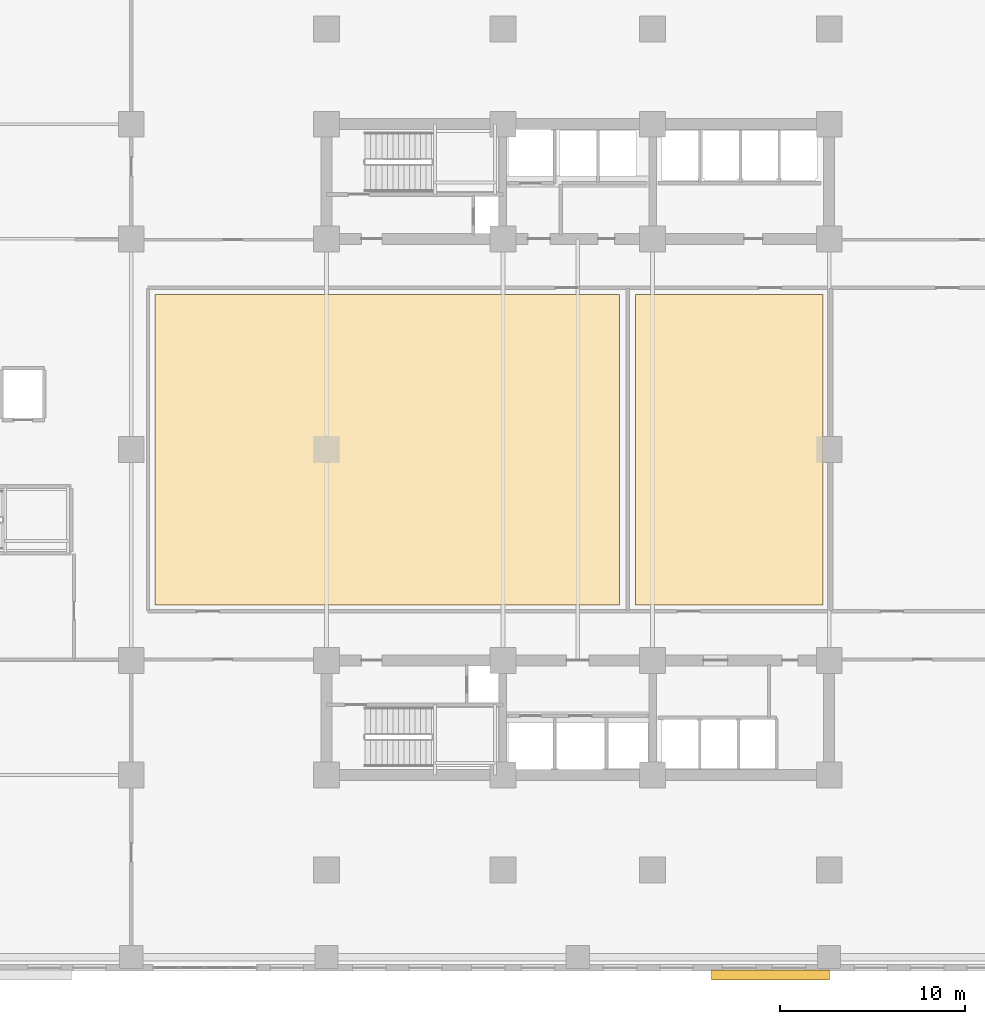
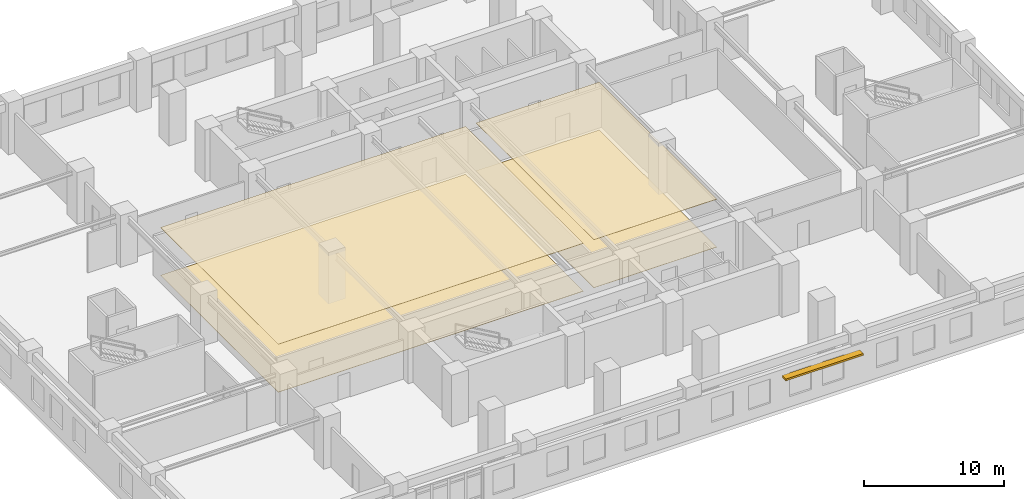
# One storey, part 14 of 16: 4 coverings, 1 shading device.
"""IFC4 building model written with IfcOpenShell, lengths in metres."""

from ifc_helpers import new_model, si_unit, direction, frame, origin, origin_2d, place, context, subcontext, project, spatial, polyline, rectangle, outline, extrude, material, layer, layer_set, type_object, element, save


model = new_model("IFC4")

# Units and contexts
model_context = context("Model", 3, precision=1e-05, world=origin(), true_north=direction((0.0, 1.0)))
body_context = subcontext(model_context, "Body", "Model", "MODEL_VIEW")
ifc_project = project(units=[si_unit("LENGTHUNIT", "METRE"), si_unit("AREAUNIT", "SQUARE_METRE"), si_unit("VOLUMEUNIT", "CUBIC_METRE"), si_unit("PLANEANGLEUNIT", "RADIAN"), si_unit("MASSUNIT", "GRAM", prefix="KILO")], contexts=[model_context])

# Site, building, storey
site_placement = place(None, origin())
site = spatial("IfcSite", under=ifc_project, at=site_placement, CompositionType="ELEMENT")
building_placement = place(site_placement, origin())
building = spatial("IfcBuilding", under=site, at=building_placement, Name="Svetorya Sky Lyceum", CompositionType="ELEMENT")
storey_placement = place(building_placement, frame((0.0, 0.0, 11.10009765625)))
storey = spatial("IfcBuildingStorey", under=building, at=storey_placement, Name="L02", CompositionType="ELEMENT", Elevation=11.10009765625)

# Coverings
ifc_material_1 = material(Name="Fire-retardant birch acoustic slat ceiling")
ifc_layer_1 = layer(ifc_material_1, 0.031982421875)
ifc_layer_set_1 = layer_set([ifc_layer_1], Name="Fire-retardant birch acoustic slat ceiling")
covering_type_1 = type_object("IfcCoveringType", Name="COV-CLG-WD32", PredefinedType="CEILING", material=ifc_layer_set_1)
covering_1_placement = place(storey_placement, frame((0.0, 0.0, 4.16796875)))
element("IfcCovering", 1, at=covering_1_placement, inside=storey, type_object=covering_type_1, Name="Assembly Lecture Hall Acoustic Ceiling", PredefinedType="CEILING", context=body_context, shape_type="SweptSolid", body=[
    extrude(outline(polyline([(16.330078125, 19.800048828125), (41.469970703125, 19.800048828125), (41.469970703125, 36.60009765625), (16.330078125, 36.60009765625), (16.330078125, 19.800048828125)])), origin(), (0.0, 0.0, 1.0), 0.031982421875),
])
covering_2_placement = place(storey_placement, frame((0.0, 0.0, 4.16796875)))
element("IfcCovering", 2, at=covering_2_placement, inside=storey, type_object=covering_type_1, Name="Laboratory Cosmic Robotics Acoustic Ceiling", PredefinedType="CEILING", context=body_context, shape_type="SweptSolid", body=[
    extrude(outline(polyline([(42.330078125, 19.800048828125), (52.469970703125, 19.800048828125), (52.469970703125, 36.60009765625), (42.330078125, 36.60009765625), (42.330078125, 19.800048828125)])), origin(), (0.0, 0.0, 1.0), 0.031982421875),
])
ifc_material_2 = material(Name="Vitrified porcelain slip-resistant tile flooring")
ifc_layer_2 = layer(ifc_material_2, 0.02587890625)
ifc_layer_set_2 = layer_set([ifc_layer_2], Name="Vitrified porcelain slip-resistant tile flooring")
covering_type_2 = type_object("IfcCoveringType", Name="COV-FLR-POR26", PredefinedType="FLOORING", material=ifc_layer_set_2)
covering_3_placement = place(storey_placement, origin())
element("IfcCovering", 3, at=covering_3_placement, inside=storey, type_object=covering_type_2, Name="Assembly Lecture Hall Architectural Flooring", PredefinedType="FLOORING", context=body_context, shape_type="SweptSolid", body=[
    extrude(outline(polyline([(16.330078125, 19.800048828125), (41.469970703125, 19.800048828125), (41.469970703125, 36.60009765625), (16.330078125, 36.60009765625), (16.330078125, 19.800048828125)])), origin(), (0.0, 0.0, 1.0), 0.02587890625),
])
covering_4_placement = place(storey_placement, origin())
element("IfcCovering", 4, at=covering_4_placement, inside=storey, type_object=covering_type_2, Name="Laboratory Cosmic Robotics Architectural Flooring", PredefinedType="FLOORING", context=body_context, shape_type="SweptSolid", body=[
    extrude(outline(polyline([(42.330078125, 19.800048828125), (52.469970703125, 19.800048828125), (52.469970703125, 36.60009765625), (42.330078125, 36.60009765625), (42.330078125, 19.800048828125)])), origin(), (0.0, 0.0, 1.0), 0.02587890625),
])

# Shading device
ifc_material_3 = material(Name="Champagne-anodized extruded aluminium sunshade", Category="aluminium")
ifc_layer_3 = layer(ifc_material_3, 0.159912109375)
ifc_layer_set_3 = layer_set([ifc_layer_3], Name="Champagne-anodized extruded aluminium sunshade")
shading_device_type = type_object("IfcShadingDeviceType", Name="SHD-LVR-540", PredefinedType="AWNING", material=ifc_layer_set_3)
shading_device_placement = place(storey_placement, frame((49.625, -0.219970703125, 2.77001953125), z_axis=(0.0, 0.0, 1.0), x_axis=(1.0, 0.0, 0.0)))
element("IfcShadingDevice", 5, at=shading_device_placement, inside=storey, type_object=shading_device_type, Name="L02 Solar Brise-Soleil SHD-1.6B", PredefinedType="AWNING", context=body_context, shape_type="SweptSolid", body=[
    extrude(rectangle(XDim=6.39990234375, YDim=0.5400390625, at=origin_2d()), origin(), (0.0, 0.0, 1.0), 0.159912109375),
])

save(model, "model.ifc")
